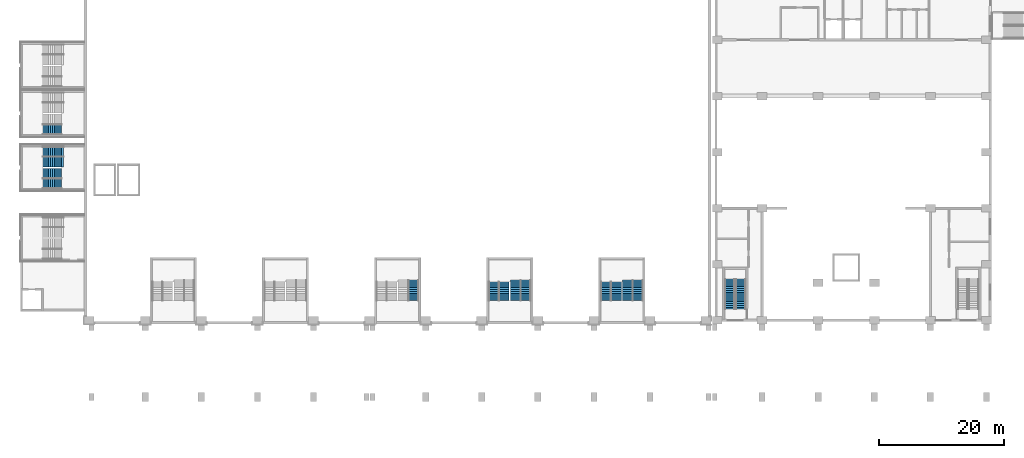
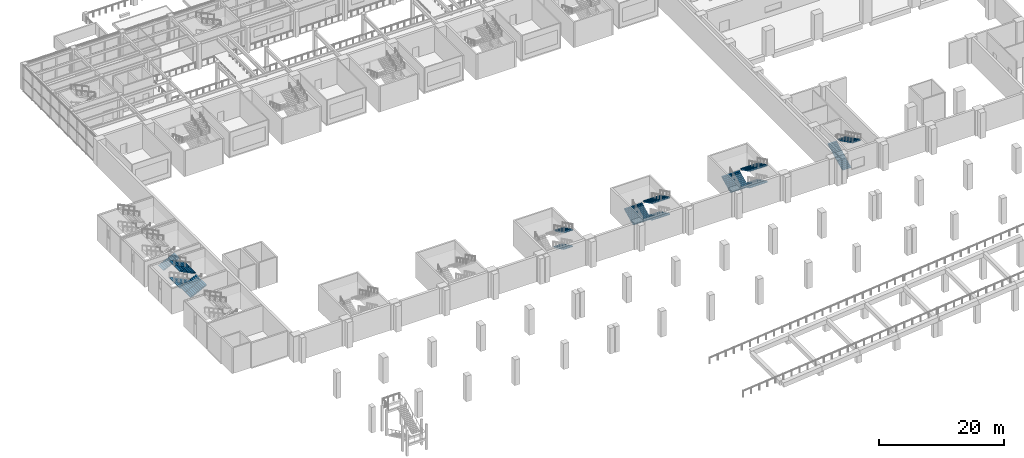
# One storey, part 48 of 67: 23 stair flights, 9 elements without a shape of their own.
"""IFC4 building model written with IfcOpenShell, lengths in metres."""

from ifc_helpers import new_model, si_unit, direction, frame, origin, place, context, subcontext, project, spatial, polyline, outline, extrude, material, type_object, element, aggregate, save


model = new_model("IFC4")

# Units and contexts
model_context = context("Model", 3, precision=1e-05, world=origin(), true_north=direction((0.0, 1.0)))
body_context = subcontext(model_context, "Body", "Model", "MODEL_VIEW")
ifc_project = project(units=[si_unit("LENGTHUNIT", "METRE"), si_unit("AREAUNIT", "SQUARE_METRE"), si_unit("VOLUMEUNIT", "CUBIC_METRE"), si_unit("PLANEANGLEUNIT", "RADIAN"), si_unit("MASSUNIT", "GRAM", prefix="KILO")], contexts=[model_context])

# Site, building, storey
site_placement = place(None, origin())
site = spatial("IfcSite", under=ifc_project, at=site_placement, CompositionType="ELEMENT")
building_placement = place(site_placement, origin())
building = spatial("IfcBuilding", under=site, at=building_placement, Name="Aravalli Gate Trade Fair Centre", CompositionType="ELEMENT")
storey_placement = place(building_placement, frame((0.0, 0.0, 5.0)))
storey = spatial("IfcBuildingStorey", under=building, at=storey_placement, Name="L01", CompositionType="ELEMENT", Elevation=5.0)

# Stair, stair flights
ifc_material_1 = material(Name="Concrete M45", Category="concrete")
stair_type_1 = type_object("IfcStairType", Name="Congress exit stair", PredefinedType="HALF_TURN_STAIR", material=ifc_material_1)
stair_1_placement = place(storey_placement, origin())
stair_1 = element("IfcStair", 1, at=stair_1_placement, inside=storey, type_object=stair_type_1, Name="Stage Stair West L01", PredefinedType="HALF_TURN_STAIR")
stair_flight_type_1 = type_object("IfcStairFlightType", Name="Congress exit stair flight", PredefinedType="STRAIGHT", material=ifc_material_1)
stair_flight_1_placement = place(storey_placement, frame((108.800048828125, 47.800048828125, 0.0), z_axis=(0.0, 0.0, 1.0), x_axis=(0.0, 1.0, 0.0)))
stair_flight_1 = element("IfcStairFlight", 2, at=stair_flight_1_placement, type_object=stair_flight_type_1, Name="GX1 flight 1", NumberOfRisers=17, NumberOfTreads=16, PredefinedType="STRAIGHT", RiserHeight=0.147058824, TreadLength=0.3, context=body_context, shape_type="SweptSolid", body=[
    extrude(outline(polyline([(0.0, 0.0), (0.0, 0.14697265625), (0.300048828125, 0.14697265625), (0.300048828125, 0.294189453125), (0.60009765625, 0.294189453125), (0.60009765625, 0.441162109375), (0.89990234375, 0.441162109375), (0.89990234375, 0.588134765625), (1.199951171875, 0.588134765625), (1.199951171875, 0.7353515625), (1.5, 0.7353515625), (1.5, 0.88232421875), (1.800048828125, 0.88232421875), (1.800048828125, 1.029296875), (2.10009765625, 1.029296875), (2.10009765625, 1.176513671875), (2.39990234375, 1.176513671875), (2.39990234375, 1.323486328125), (2.699951171875, 1.323486328125), (2.699951171875, 1.470703125), (3.0, 1.470703125), (3.0, 1.61767578125), (3.300048828125, 1.61767578125), (3.300048828125, 1.7646484375), (3.60009765625, 1.7646484375), (3.60009765625, 1.911865234375), (3.89990234375, 1.911865234375), (3.89990234375, 2.058837890625), (4.199951171875, 2.058837890625), (4.199951171875, 2.205810546875), (4.5, 2.205810546875), (4.5, 2.35302734375), (4.800048828125, 2.35302734375), (4.800048828125, 2.5), (4.800048828125, 2.18603515625), (0.340576171875, 0.0), (0.0, 0.0)])), frame((0.0, 0.800048828125, 0.0), z_axis=(0.0, -1.0, 0.0), x_axis=(1.0, 0.0, 0.0)), (0.0, 0.0, 1.0), 1.60009765625),
])
stair_flight_2_placement = place(storey_placement, frame((110.60009765625, 52.60009765625, 2.5), z_axis=(0.0, 0.0, 1.0), x_axis=(0.0, -1.0, 0.0)))
stair_flight_2 = element("IfcStairFlight", 3, at=stair_flight_2_placement, type_object=stair_flight_type_1, Name="GX1 flight 2", NumberOfRisers=17, NumberOfTreads=16, PredefinedType="STRAIGHT", RiserHeight=0.147058824, TreadLength=0.3, context=body_context, shape_type="SweptSolid", body=[
    extrude(outline(polyline([(0.0, 0.0), (0.0, 0.14697265625), (0.300048828125, 0.14697265625), (0.300048828125, 0.294189453125), (0.60009765625, 0.294189453125), (0.60009765625, 0.441162109375), (0.89990234375, 0.441162109375), (0.89990234375, 0.588134765625), (1.199951171875, 0.588134765625), (1.199951171875, 0.7353515625), (1.5, 0.7353515625), (1.5, 0.88232421875), (1.800048828125, 0.88232421875), (1.800048828125, 1.029296875), (2.10009765625, 1.029296875), (2.10009765625, 1.176513671875), (2.39990234375, 1.176513671875), (2.39990234375, 1.323486328125), (2.699951171875, 1.323486328125), (2.699951171875, 1.470703125), (3.0, 1.470703125), (3.0, 1.61767578125), (3.300048828125, 1.61767578125), (3.300048828125, 1.7646484375), (3.60009765625, 1.7646484375), (3.60009765625, 1.911865234375), (3.89990234375, 1.911865234375), (3.89990234375, 2.058837890625), (4.199951171875, 2.058837890625), (4.199951171875, 2.205810546875), (4.5, 2.205810546875), (4.5, 2.35302734375), (4.800048828125, 2.35302734375), (4.800048828125, 2.5), (4.800048828125, 2.18603515625), (0.340576171875, 0.0), (0.0, 0.0)])), frame((0.0, 0.800048828125, 0.0), z_axis=(0.0, -1.0, 0.0), x_axis=(1.0, 0.0, 0.0)), (0.0, 0.0, 1.0), 1.60009765625),
])
aggregate(stair_1, [stair_flight_1, stair_flight_2])

ifc_material_2 = material(Name="Concrete M40", Category="concrete")
stair_type_2 = type_object("IfcStairType", Name="Hall exit stair, three flights", PredefinedType="HALF_TURN_STAIR", material=ifc_material_2)
stair_2_placement = place(storey_placement, origin())
stair_2 = element("IfcStair", 4, at=stair_2_placement, inside=storey, type_object=stair_type_2, Name="Exit stair ST-S06 lane B L01", PredefinedType="HALF_TURN_STAIR")
stair_flight_type_2 = type_object("IfcStairFlightType", Name="Hall exit stair flight", PredefinedType="STRAIGHT", material=ifc_material_2)
stair_flight_3_placement = place(storey_placement, frame((58.080078125, 52.449951171875, 0.0), z_axis=(0.0, 0.0, 1.0), x_axis=(0.0, -1.0, 0.0)))
stair_flight_3 = element("IfcStairFlight", 5, at=stair_flight_3_placement, type_object=stair_flight_type_2, Name="ST-S06B flight 1", NumberOfRisers=12, NumberOfTreads=11, PredefinedType="STRAIGHT", RiserHeight=0.147058824, TreadLength=0.3, context=body_context, shape_type="SweptSolid", body=[
    extrude(outline(polyline([(0.0, 0.0), (0.0, 0.14697265625), (0.300048828125, 0.14697265625), (0.300048828125, 0.294189453125), (0.60009765625, 0.294189453125), (0.60009765625, 0.441162109375), (0.89990234375, 0.441162109375), (0.89990234375, 0.588134765625), (1.199951171875, 0.588134765625), (1.199951171875, 0.7353515625), (1.5, 0.7353515625), (1.5, 0.88232421875), (1.800048828125, 0.88232421875), (1.800048828125, 1.029296875), (2.10009765625, 1.029296875), (2.10009765625, 1.176513671875), (2.39990234375, 1.176513671875), (2.39990234375, 1.323486328125), (2.699951171875, 1.323486328125), (2.699951171875, 1.470703125), (3.0, 1.470703125), (3.0, 1.61767578125), (3.300048828125, 1.61767578125), (3.300048828125, 1.7646484375), (3.300048828125, 1.45068359375), (0.340576171875, 0.0), (0.0, 0.0)])), frame((0.0, 0.81982421875, 0.0), z_axis=(0.0, -1.0, 0.0), x_axis=(1.0, 0.0, 0.0)), (0.0, 0.0, 1.0), 1.639892578125),
])
stair_flight_4_placement = place(storey_placement, frame((58.080078125, 52.14990234375, 3.38232421875), z_axis=(0.0, 0.0, 1.0), x_axis=(0.0, -1.0, 0.0)))
stair_flight_4 = element("IfcStairFlight", 6, at=stair_flight_4_placement, type_object=stair_flight_type_2, Name="ST-S06B flight 3", NumberOfRisers=11, NumberOfTreads=10, PredefinedType="STRAIGHT", RiserHeight=0.147058824, TreadLength=0.3, context=body_context, shape_type="SweptSolid", body=[
    extrude(outline(polyline([(0.0, 0.0), (0.0, 0.14697265625), (0.300048828125, 0.14697265625), (0.300048828125, 0.294189453125), (0.60009765625, 0.294189453125), (0.60009765625, 0.441162109375), (0.89990234375, 0.441162109375), (0.89990234375, 0.588134765625), (1.199951171875, 0.588134765625), (1.199951171875, 0.7353515625), (1.5, 0.7353515625), (1.5, 0.88232421875), (1.800048828125, 0.88232421875), (1.800048828125, 1.029296875), (2.10009765625, 1.029296875), (2.10009765625, 1.176513671875), (2.39990234375, 1.176513671875), (2.39990234375, 1.323486328125), (2.699951171875, 1.323486328125), (2.699951171875, 1.470703125), (3.0, 1.470703125), (3.0, 1.61767578125), (3.0, 1.3037109375), (0.340576171875, 0.0), (0.0, 0.0)])), frame((0.0, 0.81982421875, 0.0), z_axis=(0.0, -1.0, 0.0), x_axis=(1.0, 0.0, 0.0)), (0.0, 0.0, 1.0), 1.639892578125),
])
aggregate(stair_2, [stair_flight_3, stair_flight_4])

stair_3_placement = place(storey_placement, origin())
stair_3 = element("IfcStair", 7, at=stair_3_placement, inside=storey, type_object=stair_type_2, Name="Exit stair ST-S08 lane A L01", PredefinedType="HALF_TURN_STAIR")
stair_flight_5_placement = place(storey_placement, frame((74.419921875, 52.449951171875, 0.0), z_axis=(0.0, 0.0, 1.0), x_axis=(0.0, -1.0, 0.0)))
stair_flight_5 = element("IfcStairFlight", 8, at=stair_flight_5_placement, type_object=stair_flight_type_2, Name="ST-S08A flight 1", NumberOfRisers=12, NumberOfTreads=11, PredefinedType="STRAIGHT", RiserHeight=0.147058824, TreadLength=0.3, context=body_context, shape_type="SweptSolid", body=[
    extrude(outline(polyline([(0.0, 0.0), (0.0, 0.14697265625), (0.300048828125, 0.14697265625), (0.300048828125, 0.294189453125), (0.60009765625, 0.294189453125), (0.60009765625, 0.441162109375), (0.89990234375, 0.441162109375), (0.89990234375, 0.588134765625), (1.199951171875, 0.588134765625), (1.199951171875, 0.7353515625), (1.5, 0.7353515625), (1.5, 0.88232421875), (1.800048828125, 0.88232421875), (1.800048828125, 1.029296875), (2.10009765625, 1.029296875), (2.10009765625, 1.176513671875), (2.39990234375, 1.176513671875), (2.39990234375, 1.323486328125), (2.699951171875, 1.323486328125), (2.699951171875, 1.470703125), (3.0, 1.470703125), (3.0, 1.61767578125), (3.300048828125, 1.61767578125), (3.300048828125, 1.7646484375), (3.300048828125, 1.45068359375), (0.340576171875, 0.0), (0.0, 0.0)])), frame((0.0, 0.81982421875, 0.0), z_axis=(0.0, -1.0, 0.0), x_axis=(1.0, 0.0, 0.0)), (0.0, 0.0, 1.0), 1.639892578125),
])
stair_flight_6_placement = place(storey_placement, frame((70.919921875, 49.14990234375, 1.7646484375), z_axis=(0.0, 0.0, 1.0), x_axis=(0.0, 1.0, 0.0)))
stair_flight_6 = element("IfcStairFlight", 9, at=stair_flight_6_placement, type_object=stair_flight_type_2, Name="ST-S08A flight 2", NumberOfRisers=11, NumberOfTreads=10, PredefinedType="STRAIGHT", RiserHeight=0.147058824, TreadLength=0.3, context=body_context, shape_type="SweptSolid", body=[
    extrude(outline(polyline([(0.0, 0.0), (0.0, 0.14697265625), (0.300048828125, 0.14697265625), (0.300048828125, 0.294189453125), (0.60009765625, 0.294189453125), (0.60009765625, 0.441162109375), (0.89990234375, 0.441162109375), (0.89990234375, 0.588134765625), (1.199951171875, 0.588134765625), (1.199951171875, 0.7353515625), (1.5, 0.7353515625), (1.5, 0.88232421875), (1.800048828125, 0.88232421875), (1.800048828125, 1.029296875), (2.10009765625, 1.029296875), (2.10009765625, 1.176513671875), (2.39990234375, 1.176513671875), (2.39990234375, 1.323486328125), (2.699951171875, 1.323486328125), (2.699951171875, 1.470703125), (3.0, 1.470703125), (3.0, 1.61767578125), (3.0, 1.3037109375), (0.340576171875, 0.0), (0.0, 0.0)])), frame((0.0, 0.81982421875, 0.0), z_axis=(0.0, -1.0, 0.0), x_axis=(1.0, 0.0, 0.0)), (0.0, 0.0, 1.0), 1.639892578125),
])
stair_flight_7_placement = place(storey_placement, frame((74.419921875, 52.14990234375, 3.38232421875), z_axis=(0.0, 0.0, 1.0), x_axis=(0.0, -1.0, 0.0)))
stair_flight_7 = element("IfcStairFlight", 10, at=stair_flight_7_placement, type_object=stair_flight_type_2, Name="ST-S08A flight 3", NumberOfRisers=11, NumberOfTreads=10, PredefinedType="STRAIGHT", RiserHeight=0.147058824, TreadLength=0.3, context=body_context, shape_type="SweptSolid", body=[
    extrude(outline(polyline([(0.0, 0.0), (0.0, 0.14697265625), (0.300048828125, 0.14697265625), (0.300048828125, 0.294189453125), (0.60009765625, 0.294189453125), (0.60009765625, 0.441162109375), (0.89990234375, 0.441162109375), (0.89990234375, 0.588134765625), (1.199951171875, 0.588134765625), (1.199951171875, 0.7353515625), (1.5, 0.7353515625), (1.5, 0.88232421875), (1.800048828125, 0.88232421875), (1.800048828125, 1.029296875), (2.10009765625, 1.029296875), (2.10009765625, 1.176513671875), (2.39990234375, 1.176513671875), (2.39990234375, 1.323486328125), (2.699951171875, 1.323486328125), (2.699951171875, 1.470703125), (3.0, 1.470703125), (3.0, 1.61767578125), (3.0, 1.3037109375), (0.340576171875, 0.0), (0.0, 0.0)])), frame((0.0, 0.81982421875, 0.0), z_axis=(0.0, -1.0, 0.0), x_axis=(1.0, 0.0, 0.0)), (0.0, 0.0, 1.0), 1.639892578125),
])
aggregate(stair_3, [stair_flight_5, stair_flight_6, stair_flight_7])

stair_4_placement = place(storey_placement, origin())
stair_4 = element("IfcStair", 11, at=stair_4_placement, inside=storey, type_object=stair_type_2, Name="Exit stair ST-S08 lane B L01", PredefinedType="HALF_TURN_STAIR")
stair_flight_8_placement = place(storey_placement, frame((76.080078125, 52.449951171875, 0.0), z_axis=(0.0, 0.0, 1.0), x_axis=(0.0, -1.0, 0.0)))
stair_flight_8 = element("IfcStairFlight", 12, at=stair_flight_8_placement, type_object=stair_flight_type_2, Name="ST-S08B flight 1", NumberOfRisers=12, NumberOfTreads=11, PredefinedType="STRAIGHT", RiserHeight=0.147058824, TreadLength=0.3, context=body_context, shape_type="SweptSolid", body=[
    extrude(outline(polyline([(0.0, 0.0), (0.0, 0.14697265625), (0.300048828125, 0.14697265625), (0.300048828125, 0.294189453125), (0.60009765625, 0.294189453125), (0.60009765625, 0.441162109375), (0.89990234375, 0.441162109375), (0.89990234375, 0.588134765625), (1.199951171875, 0.588134765625), (1.199951171875, 0.7353515625), (1.5, 0.7353515625), (1.5, 0.88232421875), (1.800048828125, 0.88232421875), (1.800048828125, 1.029296875), (2.10009765625, 1.029296875), (2.10009765625, 1.176513671875), (2.39990234375, 1.176513671875), (2.39990234375, 1.323486328125), (2.699951171875, 1.323486328125), (2.699951171875, 1.470703125), (3.0, 1.470703125), (3.0, 1.61767578125), (3.300048828125, 1.61767578125), (3.300048828125, 1.7646484375), (3.300048828125, 1.45068359375), (0.340576171875, 0.0), (0.0, 0.0)])), frame((0.0, 0.81982421875, 0.0), z_axis=(0.0, -1.0, 0.0), x_axis=(1.0, 0.0, 0.0)), (0.0, 0.0, 1.0), 1.639892578125),
])
stair_flight_9_placement = place(storey_placement, frame((72.580078125, 49.14990234375, 1.7646484375), z_axis=(0.0, 0.0, 1.0), x_axis=(0.0, 1.0, 0.0)))
stair_flight_9 = element("IfcStairFlight", 13, at=stair_flight_9_placement, type_object=stair_flight_type_2, Name="ST-S08B flight 2", NumberOfRisers=11, NumberOfTreads=10, PredefinedType="STRAIGHT", RiserHeight=0.147058824, TreadLength=0.3, context=body_context, shape_type="SweptSolid", body=[
    extrude(outline(polyline([(0.0, 0.0), (0.0, 0.14697265625), (0.300048828125, 0.14697265625), (0.300048828125, 0.294189453125), (0.60009765625, 0.294189453125), (0.60009765625, 0.441162109375), (0.89990234375, 0.441162109375), (0.89990234375, 0.588134765625), (1.199951171875, 0.588134765625), (1.199951171875, 0.7353515625), (1.5, 0.7353515625), (1.5, 0.88232421875), (1.800048828125, 0.88232421875), (1.800048828125, 1.029296875), (2.10009765625, 1.029296875), (2.10009765625, 1.176513671875), (2.39990234375, 1.176513671875), (2.39990234375, 1.323486328125), (2.699951171875, 1.323486328125), (2.699951171875, 1.470703125), (3.0, 1.470703125), (3.0, 1.61767578125), (3.0, 1.3037109375), (0.340576171875, 0.0), (0.0, 0.0)])), frame((0.0, 0.81982421875, 0.0), z_axis=(0.0, -1.0, 0.0), x_axis=(1.0, 0.0, 0.0)), (0.0, 0.0, 1.0), 1.639892578125),
])
stair_flight_10_placement = place(storey_placement, frame((76.080078125, 52.14990234375, 3.38232421875), z_axis=(0.0, 0.0, 1.0), x_axis=(0.0, -1.0, 0.0)))
stair_flight_10 = element("IfcStairFlight", 14, at=stair_flight_10_placement, type_object=stair_flight_type_2, Name="ST-S08B flight 3", NumberOfRisers=11, NumberOfTreads=10, PredefinedType="STRAIGHT", RiserHeight=0.147058824, TreadLength=0.3, context=body_context, shape_type="SweptSolid", body=[
    extrude(outline(polyline([(0.0, 0.0), (0.0, 0.14697265625), (0.300048828125, 0.14697265625), (0.300048828125, 0.294189453125), (0.60009765625, 0.294189453125), (0.60009765625, 0.441162109375), (0.89990234375, 0.441162109375), (0.89990234375, 0.588134765625), (1.199951171875, 0.588134765625), (1.199951171875, 0.7353515625), (1.5, 0.7353515625), (1.5, 0.88232421875), (1.800048828125, 0.88232421875), (1.800048828125, 1.029296875), (2.10009765625, 1.029296875), (2.10009765625, 1.176513671875), (2.39990234375, 1.176513671875), (2.39990234375, 1.323486328125), (2.699951171875, 1.323486328125), (2.699951171875, 1.470703125), (3.0, 1.470703125), (3.0, 1.61767578125), (3.0, 1.3037109375), (0.340576171875, 0.0), (0.0, 0.0)])), frame((0.0, 0.81982421875, 0.0), z_axis=(0.0, -1.0, 0.0), x_axis=(1.0, 0.0, 0.0)), (0.0, 0.0, 1.0), 1.639892578125),
])
aggregate(stair_4, [stair_flight_8, stair_flight_9, stair_flight_10])

stair_5_placement = place(storey_placement, origin())
stair_5 = element("IfcStair", 15, at=stair_5_placement, inside=storey, type_object=stair_type_2, Name="Exit stair ST-S10 lane A L01", PredefinedType="HALF_TURN_STAIR")
stair_flight_11_placement = place(storey_placement, frame((92.419921875, 52.449951171875, 0.0), z_axis=(0.0, 0.0, 1.0), x_axis=(0.0, -1.0, 0.0)))
stair_flight_11 = element("IfcStairFlight", 16, at=stair_flight_11_placement, type_object=stair_flight_type_2, Name="ST-S10A flight 1", NumberOfRisers=12, NumberOfTreads=11, PredefinedType="STRAIGHT", RiserHeight=0.147058824, TreadLength=0.3, context=body_context, shape_type="SweptSolid", body=[
    extrude(outline(polyline([(0.0, 0.0), (0.0, 0.14697265625), (0.300048828125, 0.14697265625), (0.300048828125, 0.294189453125), (0.60009765625, 0.294189453125), (0.60009765625, 0.441162109375), (0.89990234375, 0.441162109375), (0.89990234375, 0.588134765625), (1.199951171875, 0.588134765625), (1.199951171875, 0.7353515625), (1.5, 0.7353515625), (1.5, 0.88232421875), (1.800048828125, 0.88232421875), (1.800048828125, 1.029296875), (2.10009765625, 1.029296875), (2.10009765625, 1.176513671875), (2.39990234375, 1.176513671875), (2.39990234375, 1.323486328125), (2.699951171875, 1.323486328125), (2.699951171875, 1.470703125), (3.0, 1.470703125), (3.0, 1.61767578125), (3.300048828125, 1.61767578125), (3.300048828125, 1.7646484375), (3.300048828125, 1.45068359375), (0.340576171875, 0.0), (0.0, 0.0)])), frame((0.0, 0.81982421875, 0.0), z_axis=(0.0, -1.0, 0.0), x_axis=(1.0, 0.0, 0.0)), (0.0, 0.0, 1.0), 1.639892578125),
])
stair_flight_12_placement = place(storey_placement, frame((88.919921875, 49.14990234375, 1.7646484375), z_axis=(0.0, 0.0, 1.0), x_axis=(0.0, 1.0, 0.0)))
stair_flight_12 = element("IfcStairFlight", 17, at=stair_flight_12_placement, type_object=stair_flight_type_2, Name="ST-S10A flight 2", NumberOfRisers=11, NumberOfTreads=10, PredefinedType="STRAIGHT", RiserHeight=0.147058824, TreadLength=0.3, context=body_context, shape_type="SweptSolid", body=[
    extrude(outline(polyline([(0.0, 0.0), (0.0, 0.14697265625), (0.300048828125, 0.14697265625), (0.300048828125, 0.294189453125), (0.60009765625, 0.294189453125), (0.60009765625, 0.441162109375), (0.89990234375, 0.441162109375), (0.89990234375, 0.588134765625), (1.199951171875, 0.588134765625), (1.199951171875, 0.7353515625), (1.5, 0.7353515625), (1.5, 0.88232421875), (1.800048828125, 0.88232421875), (1.800048828125, 1.029296875), (2.10009765625, 1.029296875), (2.10009765625, 1.176513671875), (2.39990234375, 1.176513671875), (2.39990234375, 1.323486328125), (2.699951171875, 1.323486328125), (2.699951171875, 1.470703125), (3.0, 1.470703125), (3.0, 1.61767578125), (3.0, 1.3037109375), (0.340576171875, 0.0), (0.0, 0.0)])), frame((0.0, 0.81982421875, 0.0), z_axis=(0.0, -1.0, 0.0), x_axis=(1.0, 0.0, 0.0)), (0.0, 0.0, 1.0), 1.639892578125),
])
stair_flight_13_placement = place(storey_placement, frame((92.419921875, 52.14990234375, 3.38232421875), z_axis=(0.0, 0.0, 1.0), x_axis=(0.0, -1.0, 0.0)))
stair_flight_13 = element("IfcStairFlight", 18, at=stair_flight_13_placement, type_object=stair_flight_type_2, Name="ST-S10A flight 3", NumberOfRisers=11, NumberOfTreads=10, PredefinedType="STRAIGHT", RiserHeight=0.147058824, TreadLength=0.3, context=body_context, shape_type="SweptSolid", body=[
    extrude(outline(polyline([(0.0, 0.0), (0.0, 0.14697265625), (0.300048828125, 0.14697265625), (0.300048828125, 0.294189453125), (0.60009765625, 0.294189453125), (0.60009765625, 0.441162109375), (0.89990234375, 0.441162109375), (0.89990234375, 0.588134765625), (1.199951171875, 0.588134765625), (1.199951171875, 0.7353515625), (1.5, 0.7353515625), (1.5, 0.88232421875), (1.800048828125, 0.88232421875), (1.800048828125, 1.029296875), (2.10009765625, 1.029296875), (2.10009765625, 1.176513671875), (2.39990234375, 1.176513671875), (2.39990234375, 1.323486328125), (2.699951171875, 1.323486328125), (2.699951171875, 1.470703125), (3.0, 1.470703125), (3.0, 1.61767578125), (3.0, 1.3037109375), (0.340576171875, 0.0), (0.0, 0.0)])), frame((0.0, 0.81982421875, 0.0), z_axis=(0.0, -1.0, 0.0), x_axis=(1.0, 0.0, 0.0)), (0.0, 0.0, 1.0), 1.639892578125),
])
aggregate(stair_5, [stair_flight_11, stair_flight_12, stair_flight_13])

stair_6_placement = place(storey_placement, origin())
stair_6 = element("IfcStair", 19, at=stair_6_placement, inside=storey, type_object=stair_type_2, Name="Exit stair ST-S10 lane B L01", PredefinedType="HALF_TURN_STAIR")
stair_flight_14_placement = place(storey_placement, frame((94.080078125, 52.449951171875, 0.0), z_axis=(0.0, 0.0, 1.0), x_axis=(0.0, -1.0, 0.0)))
stair_flight_14 = element("IfcStairFlight", 20, at=stair_flight_14_placement, type_object=stair_flight_type_2, Name="ST-S10B flight 1", NumberOfRisers=12, NumberOfTreads=11, PredefinedType="STRAIGHT", RiserHeight=0.147058824, TreadLength=0.3, context=body_context, shape_type="SweptSolid", body=[
    extrude(outline(polyline([(0.0, 0.0), (0.0, 0.14697265625), (0.300048828125, 0.14697265625), (0.300048828125, 0.294189453125), (0.60009765625, 0.294189453125), (0.60009765625, 0.441162109375), (0.89990234375, 0.441162109375), (0.89990234375, 0.588134765625), (1.199951171875, 0.588134765625), (1.199951171875, 0.7353515625), (1.5, 0.7353515625), (1.5, 0.88232421875), (1.800048828125, 0.88232421875), (1.800048828125, 1.029296875), (2.10009765625, 1.029296875), (2.10009765625, 1.176513671875), (2.39990234375, 1.176513671875), (2.39990234375, 1.323486328125), (2.699951171875, 1.323486328125), (2.699951171875, 1.470703125), (3.0, 1.470703125), (3.0, 1.61767578125), (3.300048828125, 1.61767578125), (3.300048828125, 1.7646484375), (3.300048828125, 1.45068359375), (0.340576171875, 0.0), (0.0, 0.0)])), frame((0.0, 0.81982421875, 0.0), z_axis=(0.0, -1.0, 0.0), x_axis=(1.0, 0.0, 0.0)), (0.0, 0.0, 1.0), 1.639892578125),
])
stair_flight_15_placement = place(storey_placement, frame((90.580078125, 49.14990234375, 1.7646484375), z_axis=(0.0, 0.0, 1.0), x_axis=(0.0, 1.0, 0.0)))
stair_flight_15 = element("IfcStairFlight", 21, at=stair_flight_15_placement, type_object=stair_flight_type_2, Name="ST-S10B flight 2", NumberOfRisers=11, NumberOfTreads=10, PredefinedType="STRAIGHT", RiserHeight=0.147058824, TreadLength=0.3, context=body_context, shape_type="SweptSolid", body=[
    extrude(outline(polyline([(0.0, 0.0), (0.0, 0.14697265625), (0.300048828125, 0.14697265625), (0.300048828125, 0.294189453125), (0.60009765625, 0.294189453125), (0.60009765625, 0.441162109375), (0.89990234375, 0.441162109375), (0.89990234375, 0.588134765625), (1.199951171875, 0.588134765625), (1.199951171875, 0.7353515625), (1.5, 0.7353515625), (1.5, 0.88232421875), (1.800048828125, 0.88232421875), (1.800048828125, 1.029296875), (2.10009765625, 1.029296875), (2.10009765625, 1.176513671875), (2.39990234375, 1.176513671875), (2.39990234375, 1.323486328125), (2.699951171875, 1.323486328125), (2.699951171875, 1.470703125), (3.0, 1.470703125), (3.0, 1.61767578125), (3.0, 1.3037109375), (0.340576171875, 0.0), (0.0, 0.0)])), frame((0.0, 0.81982421875, 0.0), z_axis=(0.0, -1.0, 0.0), x_axis=(1.0, 0.0, 0.0)), (0.0, 0.0, 1.0), 1.639892578125),
])
stair_flight_16_placement = place(storey_placement, frame((94.080078125, 52.14990234375, 3.38232421875), z_axis=(0.0, 0.0, 1.0), x_axis=(0.0, -1.0, 0.0)))
stair_flight_16 = element("IfcStairFlight", 22, at=stair_flight_16_placement, type_object=stair_flight_type_2, Name="ST-S10B flight 3", NumberOfRisers=11, NumberOfTreads=10, PredefinedType="STRAIGHT", RiserHeight=0.147058824, TreadLength=0.3, context=body_context, shape_type="SweptSolid", body=[
    extrude(outline(polyline([(0.0, 0.0), (0.0, 0.14697265625), (0.300048828125, 0.14697265625), (0.300048828125, 0.294189453125), (0.60009765625, 0.294189453125), (0.60009765625, 0.441162109375), (0.89990234375, 0.441162109375), (0.89990234375, 0.588134765625), (1.199951171875, 0.588134765625), (1.199951171875, 0.7353515625), (1.5, 0.7353515625), (1.5, 0.88232421875), (1.800048828125, 0.88232421875), (1.800048828125, 1.029296875), (2.10009765625, 1.029296875), (2.10009765625, 1.176513671875), (2.39990234375, 1.176513671875), (2.39990234375, 1.323486328125), (2.699951171875, 1.323486328125), (2.699951171875, 1.470703125), (3.0, 1.470703125), (3.0, 1.61767578125), (3.0, 1.3037109375), (0.340576171875, 0.0), (0.0, 0.0)])), frame((0.0, 0.81982421875, 0.0), z_axis=(0.0, -1.0, 0.0), x_axis=(1.0, 0.0, 0.0)), (0.0, 0.0, 1.0), 1.639892578125),
])
aggregate(stair_6, [stair_flight_14, stair_flight_15, stair_flight_16])

# Stair, stair flight
stair_7_placement = place(storey_placement, origin())
stair_7 = element("IfcStair", 23, at=stair_7_placement, inside=storey, type_object=stair_type_2, Name="Exit stair ST-W2 lane A L01", PredefinedType="HALF_TURN_STAIR")
stair_flight_17_placement = place(storey_placement, frame((-1.39990234375, 76.6201171875, 1.7646484375), z_axis=(0.0, 0.0, 1.0), x_axis=(1.0, 0.0, 0.0)))
stair_flight_17 = element("IfcStairFlight", 24, at=stair_flight_17_placement, type_object=stair_flight_type_2, Name="ST-W2A flight 2", NumberOfRisers=11, NumberOfTreads=10, PredefinedType="STRAIGHT", RiserHeight=0.147058824, TreadLength=0.3, context=body_context, shape_type="SweptSolid", body=[
    extrude(outline(polyline([(0.0, 0.0), (0.0, 0.14697265625), (0.300048828125, 0.14697265625), (0.300048828125, 0.294189453125), (0.60009765625, 0.294189453125), (0.60009765625, 0.441162109375), (0.89990234375, 0.441162109375), (0.89990234375, 0.588134765625), (1.199951171875, 0.588134765625), (1.199951171875, 0.7353515625), (1.5, 0.7353515625), (1.5, 0.88232421875), (1.800048828125, 0.88232421875), (1.800048828125, 1.029296875), (2.10009765625, 1.029296875), (2.10009765625, 1.176513671875), (2.39990234375, 1.176513671875), (2.39990234375, 1.323486328125), (2.699951171875, 1.323486328125), (2.699951171875, 1.470703125), (3.0, 1.470703125), (3.0, 1.61767578125), (3.0, 1.3037109375), (0.340576171875, 0.0), (0.0, 0.0)])), frame((0.0, 0.81982421875, 0.0), z_axis=(0.0, -1.0, 0.0), x_axis=(1.0, 0.0, 0.0)), (0.0, 0.0, 1.0), 1.639892578125),
])
aggregate(stair_7, [stair_flight_17])

# Stair, stair flights
stair_8_placement = place(storey_placement, origin())
stair_8 = element("IfcStair", 25, at=stair_8_placement, inside=storey, type_object=stair_type_2, Name="Exit stair ST-W4 lane A L01", PredefinedType="HALF_TURN_STAIR")
stair_flight_18_placement = place(storey_placement, frame((1.89990234375, 71.419921875, 0.0), z_axis=(0.0, 0.0, 1.0), x_axis=(-1.0, 0.0, 0.0)))
stair_flight_18 = element("IfcStairFlight", 26, at=stair_flight_18_placement, type_object=stair_flight_type_2, Name="ST-W4A flight 1", NumberOfRisers=12, NumberOfTreads=11, PredefinedType="STRAIGHT", RiserHeight=0.147058824, TreadLength=0.3, context=body_context, shape_type="SweptSolid", body=[
    extrude(outline(polyline([(0.0, 0.0), (0.0, 0.14697265625), (0.300048828125, 0.14697265625), (0.300048828125, 0.294189453125), (0.60009765625, 0.294189453125), (0.60009765625, 0.441162109375), (0.89990234375, 0.441162109375), (0.89990234375, 0.588134765625), (1.199951171875, 0.588134765625), (1.199951171875, 0.7353515625), (1.5, 0.7353515625), (1.5, 0.88232421875), (1.800048828125, 0.88232421875), (1.800048828125, 1.029296875), (2.10009765625, 1.029296875), (2.10009765625, 1.176513671875), (2.39990234375, 1.176513671875), (2.39990234375, 1.323486328125), (2.699951171875, 1.323486328125), (2.699951171875, 1.470703125), (3.0, 1.470703125), (3.0, 1.61767578125), (3.300048828125, 1.61767578125), (3.300048828125, 1.7646484375), (3.300048828125, 1.45068359375), (0.340576171875, 0.0), (0.0, 0.0)])), frame((0.0, 0.81982421875, 0.0), z_axis=(0.0, -1.0, 0.0), x_axis=(1.0, 0.0, 0.0)), (0.0, 0.0, 1.0), 1.639892578125),
])
stair_flight_19_placement = place(storey_placement, frame((-1.39990234375, 67.919921875, 1.7646484375), z_axis=(0.0, 0.0, 1.0), x_axis=(1.0, 0.0, 0.0)))
stair_flight_19 = element("IfcStairFlight", 27, at=stair_flight_19_placement, type_object=stair_flight_type_2, Name="ST-W4A flight 2", NumberOfRisers=11, NumberOfTreads=10, PredefinedType="STRAIGHT", RiserHeight=0.147058824, TreadLength=0.3, context=body_context, shape_type="SweptSolid", body=[
    extrude(outline(polyline([(0.0, 0.0), (0.0, 0.14697265625), (0.300048828125, 0.14697265625), (0.300048828125, 0.294189453125), (0.60009765625, 0.294189453125), (0.60009765625, 0.441162109375), (0.89990234375, 0.441162109375), (0.89990234375, 0.588134765625), (1.199951171875, 0.588134765625), (1.199951171875, 0.7353515625), (1.5, 0.7353515625), (1.5, 0.88232421875), (1.800048828125, 0.88232421875), (1.800048828125, 1.029296875), (2.10009765625, 1.029296875), (2.10009765625, 1.176513671875), (2.39990234375, 1.176513671875), (2.39990234375, 1.323486328125), (2.699951171875, 1.323486328125), (2.699951171875, 1.470703125), (3.0, 1.470703125), (3.0, 1.61767578125), (3.0, 1.3037109375), (0.340576171875, 0.0), (0.0, 0.0)])), frame((0.0, 0.81982421875, 0.0), z_axis=(0.0, -1.0, 0.0), x_axis=(1.0, 0.0, 0.0)), (0.0, 0.0, 1.0), 1.639892578125),
])
stair_flight_20_placement = place(storey_placement, frame((1.60009765625, 71.419921875, 3.38232421875), z_axis=(0.0, 0.0, 1.0), x_axis=(-1.0, 0.0, 0.0)))
stair_flight_20 = element("IfcStairFlight", 28, at=stair_flight_20_placement, type_object=stair_flight_type_2, Name="ST-W4A flight 3", NumberOfRisers=11, NumberOfTreads=10, PredefinedType="STRAIGHT", RiserHeight=0.147058824, TreadLength=0.3, context=body_context, shape_type="SweptSolid", body=[
    extrude(outline(polyline([(0.0, 0.0), (0.0, 0.14697265625), (0.300048828125, 0.14697265625), (0.300048828125, 0.294189453125), (0.60009765625, 0.294189453125), (0.60009765625, 0.441162109375), (0.89990234375, 0.441162109375), (0.89990234375, 0.588134765625), (1.199951171875, 0.588134765625), (1.199951171875, 0.7353515625), (1.5, 0.7353515625), (1.5, 0.88232421875), (1.800048828125, 0.88232421875), (1.800048828125, 1.029296875), (2.10009765625, 1.029296875), (2.10009765625, 1.176513671875), (2.39990234375, 1.176513671875), (2.39990234375, 1.323486328125), (2.699951171875, 1.323486328125), (2.699951171875, 1.470703125), (3.0, 1.470703125), (3.0, 1.61767578125), (3.0, 1.3037109375), (0.340576171875, 0.0), (0.0, 0.0)])), frame((0.0, 0.81982421875, 0.0), z_axis=(0.0, -1.0, 0.0), x_axis=(1.0, 0.0, 0.0)), (0.0, 0.0, 1.0), 1.639892578125),
])
aggregate(stair_8, [stair_flight_18, stair_flight_19, stair_flight_20])

stair_9_placement = place(storey_placement, origin())
stair_9 = element("IfcStair", 29, at=stair_9_placement, inside=storey, type_object=stair_type_2, Name="Exit stair ST-W4 lane B L01", PredefinedType="HALF_TURN_STAIR")
stair_flight_21_placement = place(storey_placement, frame((1.89990234375, 73.080078125, 0.0), z_axis=(0.0, 0.0, 1.0), x_axis=(-1.0, 0.0, 0.0)))
stair_flight_21 = element("IfcStairFlight", 30, at=stair_flight_21_placement, type_object=stair_flight_type_2, Name="ST-W4B flight 1", NumberOfRisers=12, NumberOfTreads=11, PredefinedType="STRAIGHT", RiserHeight=0.147058824, TreadLength=0.3, context=body_context, shape_type="SweptSolid", body=[
    extrude(outline(polyline([(0.0, 0.0), (0.0, 0.14697265625), (0.300048828125, 0.14697265625), (0.300048828125, 0.294189453125), (0.60009765625, 0.294189453125), (0.60009765625, 0.441162109375), (0.89990234375, 0.441162109375), (0.89990234375, 0.588134765625), (1.199951171875, 0.588134765625), (1.199951171875, 0.7353515625), (1.5, 0.7353515625), (1.5, 0.88232421875), (1.800048828125, 0.88232421875), (1.800048828125, 1.029296875), (2.10009765625, 1.029296875), (2.10009765625, 1.176513671875), (2.39990234375, 1.176513671875), (2.39990234375, 1.323486328125), (2.699951171875, 1.323486328125), (2.699951171875, 1.470703125), (3.0, 1.470703125), (3.0, 1.61767578125), (3.300048828125, 1.61767578125), (3.300048828125, 1.7646484375), (3.300048828125, 1.45068359375), (0.340576171875, 0.0), (0.0, 0.0)])), frame((0.0, 0.81982421875, 0.0), z_axis=(0.0, -1.0, 0.0), x_axis=(1.0, 0.0, 0.0)), (0.0, 0.0, 1.0), 1.639892578125),
])
stair_flight_22_placement = place(storey_placement, frame((-1.39990234375, 69.580078125, 1.7646484375), z_axis=(0.0, 0.0, 1.0), x_axis=(1.0, 0.0, 0.0)))
stair_flight_22 = element("IfcStairFlight", 31, at=stair_flight_22_placement, type_object=stair_flight_type_2, Name="ST-W4B flight 2", NumberOfRisers=11, NumberOfTreads=10, PredefinedType="STRAIGHT", RiserHeight=0.147058824, TreadLength=0.3, context=body_context, shape_type="SweptSolid", body=[
    extrude(outline(polyline([(0.0, 0.0), (0.0, 0.14697265625), (0.300048828125, 0.14697265625), (0.300048828125, 0.294189453125), (0.60009765625, 0.294189453125), (0.60009765625, 0.441162109375), (0.89990234375, 0.441162109375), (0.89990234375, 0.588134765625), (1.199951171875, 0.588134765625), (1.199951171875, 0.7353515625), (1.5, 0.7353515625), (1.5, 0.88232421875), (1.800048828125, 0.88232421875), (1.800048828125, 1.029296875), (2.10009765625, 1.029296875), (2.10009765625, 1.176513671875), (2.39990234375, 1.176513671875), (2.39990234375, 1.323486328125), (2.699951171875, 1.323486328125), (2.699951171875, 1.470703125), (3.0, 1.470703125), (3.0, 1.61767578125), (3.0, 1.3037109375), (0.340576171875, 0.0), (0.0, 0.0)])), frame((0.0, 0.81982421875, 0.0), z_axis=(0.0, -1.0, 0.0), x_axis=(1.0, 0.0, 0.0)), (0.0, 0.0, 1.0), 1.639892578125),
])
stair_flight_23_placement = place(storey_placement, frame((1.60009765625, 73.080078125, 3.38232421875), z_axis=(0.0, 0.0, 1.0), x_axis=(-1.0, 0.0, 0.0)))
stair_flight_23 = element("IfcStairFlight", 32, at=stair_flight_23_placement, type_object=stair_flight_type_2, Name="ST-W4B flight 3", NumberOfRisers=11, NumberOfTreads=10, PredefinedType="STRAIGHT", RiserHeight=0.147058824, TreadLength=0.3, context=body_context, shape_type="SweptSolid", body=[
    extrude(outline(polyline([(0.0, 0.0), (0.0, 0.14697265625), (0.300048828125, 0.14697265625), (0.300048828125, 0.294189453125), (0.60009765625, 0.294189453125), (0.60009765625, 0.441162109375), (0.89990234375, 0.441162109375), (0.89990234375, 0.588134765625), (1.199951171875, 0.588134765625), (1.199951171875, 0.7353515625), (1.5, 0.7353515625), (1.5, 0.88232421875), (1.800048828125, 0.88232421875), (1.800048828125, 1.029296875), (2.10009765625, 1.029296875), (2.10009765625, 1.176513671875), (2.39990234375, 1.176513671875), (2.39990234375, 1.323486328125), (2.699951171875, 1.323486328125), (2.699951171875, 1.470703125), (3.0, 1.470703125), (3.0, 1.61767578125), (3.0, 1.3037109375), (0.340576171875, 0.0), (0.0, 0.0)])), frame((0.0, 0.81982421875, 0.0), z_axis=(0.0, -1.0, 0.0), x_axis=(1.0, 0.0, 0.0)), (0.0, 0.0, 1.0), 1.639892578125),
])
aggregate(stair_9, [stair_flight_21, stair_flight_22, stair_flight_23])

save(model, "model.ifc")
